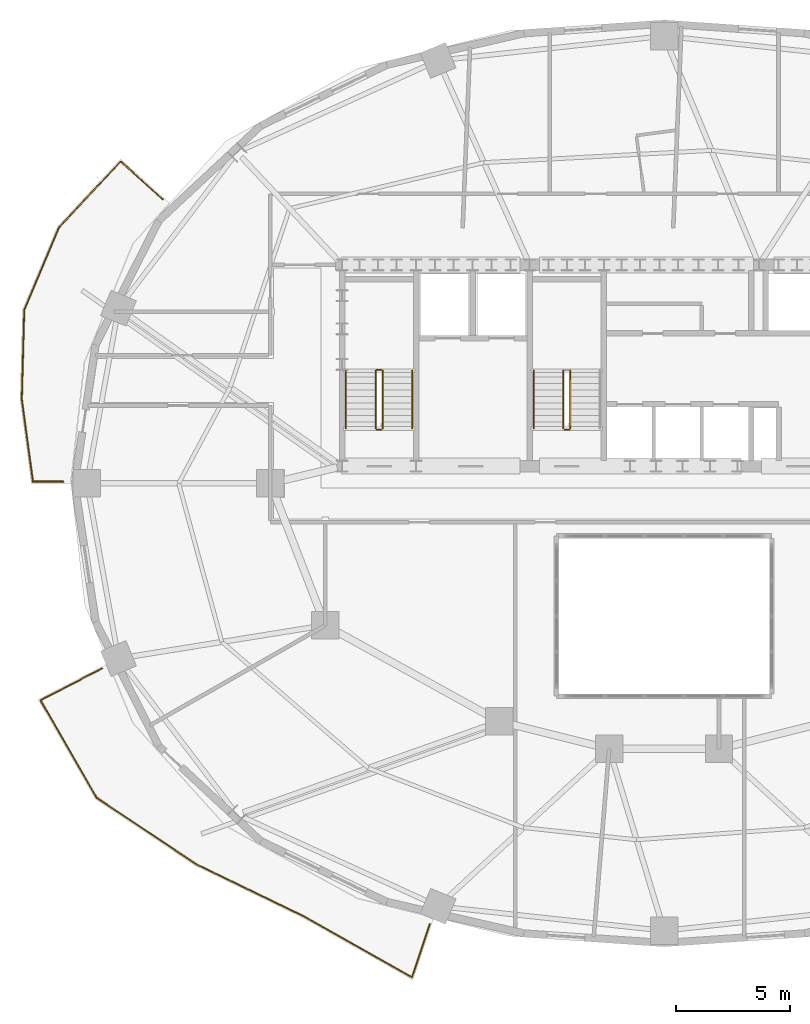
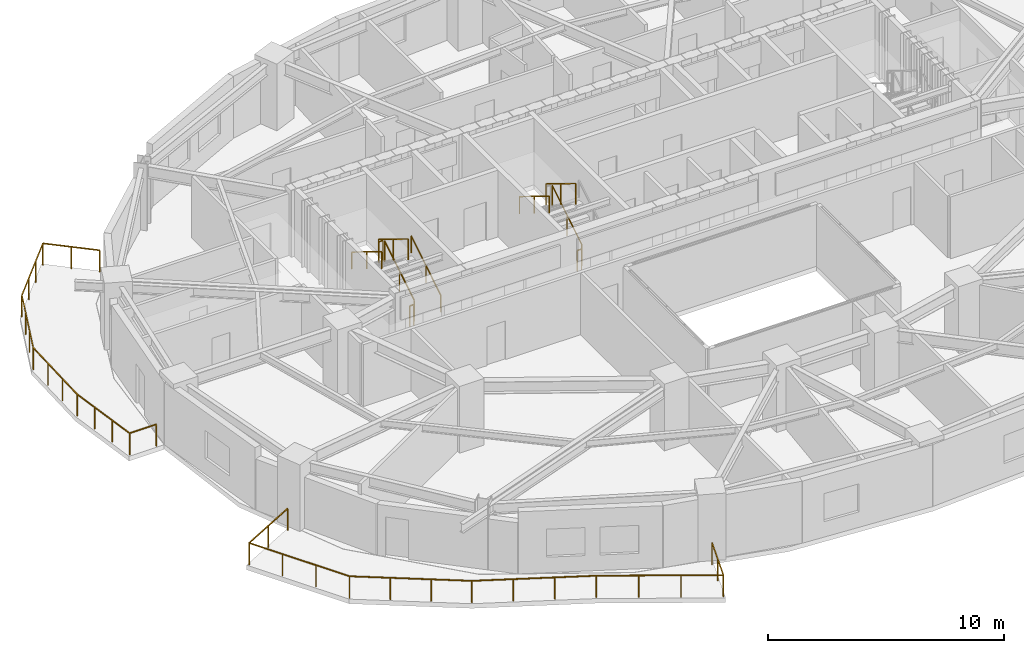
# One storey, part 10 of 13: 12 railings.
"""IFC4 building model written with IfcOpenShell, lengths in metres."""

from ifc_helpers import new_model, si_unit, direction, frame, origin, origin_2d, place, context, subcontext, project, spatial, rectangle, extrude, material, type_object, element, save


model = new_model("IFC4")

# Units and contexts
model_context = context("Model", 3, precision=1e-05, world=origin(), true_north=direction((0.0, 1.0)))
body_context = subcontext(model_context, "Body", "Model", "MODEL_VIEW")
ifc_project = project(units=[si_unit("LENGTHUNIT", "METRE"), si_unit("AREAUNIT", "SQUARE_METRE"), si_unit("VOLUMEUNIT", "CUBIC_METRE"), si_unit("PLANEANGLEUNIT", "RADIAN"), si_unit("MASSUNIT", "GRAM", prefix="KILO")], contexts=[model_context])

# Site, building, storey
site_placement = place(None, origin())
site = spatial("IfcSite", under=ifc_project, at=site_placement, CompositionType="ELEMENT")
building_placement = place(site_placement, origin())
building = spatial("IfcBuilding", under=site, at=building_placement, Name="Haldorwick Loom Tower", CompositionType="ELEMENT")
storey_placement = place(building_placement, frame((0.0, 0.0, 135.64990234375)))
storey = spatial("IfcBuildingStorey", under=building, at=storey_placement, Name="L36", CompositionType="ELEMENT", Elevation=135.64990234375)

# Railings
ifc_material_1 = material(Name="Galvanized Steel CSA G40.21 350W", Category="steel")
railing_type_1 = type_object("IfcRailingType", Name="ARC-RLG-BAL115", PredefinedType="BALUSTRADE", material=ifc_material_1)
railing_1_placement = place(storey_placement, frame((25.755859375, 6.728515625, 0.0)))
element("IfcRailing", 1, at=railing_1_placement, inside=storey, type_object=railing_type_1, Name="L36 Outdoor Terrace Guardrail SLB-L36-BAL_SW-1", PredefinedType="BALUSTRADE", context=body_context, shape_type="SweptSolid", body=[
    extrude(rectangle(XDim=0.048095703125, YDim=0.048095703125, at=origin_2d()), frame((0.0, 0.0, 1.1259765625), z_axis=(-0.318122031644, -0.948049773473, 0.0), x_axis=(0.948049773473, -0.318122031644, 0.0)), (0.0, 0.0, 1.0), 2.43505859375),
    extrude(rectangle(XDim=0.048095703125, YDim=0.048095703125, at=origin_2d()), frame((-0.774658203125, -2.30859375, 1.1259765625), z_axis=(-0.870535813637, 0.492105067212, 0.0), x_axis=(-0.492105067212, -0.870535813637, 0.0)), (0.0, 0.0, 1.0), 5.38427734375),
    extrude(rectangle(XDim=0.048095703125, YDim=0.048095703125, at=origin_2d()), frame((-5.4619140625, 0.341064453125, 1.1259765625), z_axis=(-0.884918222382, 0.465746432833, 0.0), x_axis=(-0.465746432833, -0.884918222382, 0.0)), (0.0, 0.0, 1.0), 0.005126953125),
    extrude(rectangle(XDim=0.048095703125, YDim=0.048095703125, at=origin_2d()), frame((-5.466552734375, 0.343505859375, 1.1259765625), z_axis=(-0.899741530377, 0.436423164503, 0.0), x_axis=(-0.436423164503, -0.899741530377, 0.0)), (0.0, 0.0, 1.0), 5.283203125),
    extrude(rectangle(XDim=0.048095703125, YDim=0.048095703125, at=origin_2d()), frame((-10.219970703125, 2.649169921875, 1.1259765625), z_axis=(-0.831587514247, 0.555393739746, 0.0), x_axis=(-0.555393739746, -0.831587514247, 0.0)), (0.0, 0.0, 1.0), 5.197509765625),
    extrude(rectangle(XDim=0.048095703125, YDim=0.048095703125, at=origin_2d()), frame((-14.542236328125, 5.535888671875, 1.1259765625), z_axis=(-0.499653669952, 0.866225265219, 0.0), x_axis=(-0.866225265219, -0.499653669952, 0.0)), (0.0, 0.0, 1.0), 4.91650390625),
    extrude(rectangle(XDim=0.048095703125, YDim=0.048095703125, at=origin_2d()), frame((-16.998779296875, 9.794677734375, 1.1259765625), z_axis=(0.88849659396, 0.45888321229, 0.0), x_axis=(-0.45888321229, 0.88849659396, 0.0)), (0.0, 0.0, 1.0), 3.02783203125),
    extrude(rectangle(XDim=0.0419921875, YDim=0.0419921875, at=origin_2d()), origin(), (0.0, 0.0, 1.0), 1.101806640625),
    extrude(rectangle(XDim=0.0419921875, YDim=0.0419921875, at=origin_2d()), frame((-0.38720703125, -1.154296875, 0.0)), (0.0, 0.0, 1.0), 1.101806640625),
    extrude(rectangle(XDim=0.0419921875, YDim=0.0419921875, at=origin_2d()), frame((-0.774658203125, -2.30859375, 0.0)), (0.0, 0.0, 1.0), 1.101806640625),
    extrude(rectangle(XDim=0.0419921875, YDim=0.0419921875, at=origin_2d()), frame((-2.337158203125, -1.42529296875, 0.0)), (0.0, 0.0, 1.0), 1.101806640625),
    extrude(rectangle(XDim=0.0419921875, YDim=0.0419921875, at=origin_2d()), frame((-3.8994140625, -0.542236328125, 0.0)), (0.0, 0.0, 1.0), 1.101806640625),
    extrude(rectangle(XDim=0.0419921875, YDim=0.0419921875, at=origin_2d()), frame((-5.4619140625, 0.341064453125, 0.0)), (0.0, 0.0, 1.0), 1.101806640625),
    extrude(rectangle(XDim=0.0419921875, YDim=0.0419921875, at=origin_2d()), frame((-7.051025390625, 1.112060546875, 0.0)), (0.0, 0.0, 1.0), 1.101806640625),
    extrude(rectangle(XDim=0.0419921875, YDim=0.0419921875, at=origin_2d()), frame((-8.635498046875, 1.880615234375, 0.0)), (0.0, 0.0, 1.0), 1.101806640625),
    extrude(rectangle(XDim=0.0419921875, YDim=0.0419921875, at=origin_2d()), frame((-10.219970703125, 2.649169921875, 0.0)), (0.0, 0.0, 1.0), 1.101806640625),
    extrude(rectangle(XDim=0.0419921875, YDim=0.0419921875, at=origin_2d()), frame((-11.66064453125, 3.611328125, 0.0)), (0.0, 0.0, 1.0), 1.101806640625),
    extrude(rectangle(XDim=0.0419921875, YDim=0.0419921875, at=origin_2d()), frame((-13.1015625, 4.57373046875, 0.0)), (0.0, 0.0, 1.0), 1.101806640625),
    extrude(rectangle(XDim=0.0419921875, YDim=0.0419921875, at=origin_2d()), frame((-14.542236328125, 5.535888671875, 0.0)), (0.0, 0.0, 1.0), 1.101806640625),
    extrude(rectangle(XDim=0.0419921875, YDim=0.0419921875, at=origin_2d()), frame((-15.361083984375, 6.95556640625, 0.0)), (0.0, 0.0, 1.0), 1.101806640625),
    extrude(rectangle(XDim=0.0419921875, YDim=0.0419921875, at=origin_2d()), frame((-16.179931640625, 8.375, 0.0)), (0.0, 0.0, 1.0), 1.101806640625),
    extrude(rectangle(XDim=0.0419921875, YDim=0.0419921875, at=origin_2d()), frame((-16.998779296875, 9.794677734375, 0.0)), (0.0, 0.0, 1.0), 1.101806640625),
    extrude(rectangle(XDim=0.0419921875, YDim=0.0419921875, at=origin_2d()), frame((-15.65380859375, 10.4892578125, 0.0)), (0.0, 0.0, 1.0), 1.101806640625),
    extrude(rectangle(XDim=0.0419921875, YDim=0.0419921875, at=origin_2d()), frame((-14.30859375, 11.18408203125, 0.0)), (0.0, 0.0, 1.0), 1.101806640625),
])
railing_2_placement = place(storey_placement, frame((9.73974609375, 26.080078125, 0.0)))
element("IfcRailing", 2, at=railing_2_placement, inside=storey, type_object=railing_type_1, Name="L36 Outdoor Terrace Guardrail SLB-L36-BAL_WNW-1", PredefinedType="BALUSTRADE", context=body_context, shape_type="SweptSolid", body=[
    extrude(rectangle(XDim=0.048095703125, YDim=0.048095703125, at=origin_2d()), frame((0.0, 0.0, 1.1259765625), z_axis=(-1.0, 0.0, 0.0), x_axis=(0.0, -1.0, 0.0)), (0.0, 0.0, 1.0), 1.313232421875),
    extrude(rectangle(XDim=0.048095703125, YDim=0.048095703125, at=origin_2d()), frame((-1.313232421875, 0.0, 1.1259765625), z_axis=(-0.133951807797, 0.990987847144, 0.0), x_axis=(-0.990987847144, -0.133951807797, 0.0)), (0.0, 0.0, 1.0), 3.630615234375),
    extrude(rectangle(XDim=0.048095703125, YDim=0.048095703125, at=origin_2d()), frame((-1.799560546875, 3.597900390625, 1.1259765625), z_axis=(0.0273664576, 0.999625468362, 0.0), x_axis=(-0.999625468362, 0.0273664576, 0.0)), (0.0, 0.0, 1.0), 3.907470703125),
    extrude(rectangle(XDim=0.048095703125, YDim=0.048095703125, at=origin_2d()), frame((-1.692626953125, 7.50390625, 1.1259765625), z_axis=(0.389591209707, 0.920987887716, 0.0), x_axis=(-0.920987887716, 0.389591209707, 0.0)), (0.0, 0.0, 1.0), 3.91845703125),
    extrude(rectangle(XDim=0.048095703125, YDim=0.048095703125, at=origin_2d()), frame((-0.166015625, 11.11279296875, 1.1259765625), z_axis=(0.683138961253, 0.73028840852, 0.0), x_axis=(-0.73028840852, 0.683138961253, 0.0)), (0.0, 0.0, 1.0), 3.93017578125),
    extrude(rectangle(XDim=0.048095703125, YDim=0.048095703125, at=origin_2d()), frame((2.518798828125, 13.98291015625, 1.1259765625), z_axis=(0.74343228508, -0.668811212152, 0.0), x_axis=(0.668811212152, 0.74343228508, 0.0)), (0.0, 0.0, 1.0), 2.46044921875),
    extrude(rectangle(XDim=0.0419921875, YDim=0.0419921875, at=origin_2d()), origin(), (0.0, 0.0, 1.0), 1.101806640625),
    extrude(rectangle(XDim=0.0419921875, YDim=0.0419921875, at=origin_2d()), frame((-1.313232421875, 0.0, 0.0)), (0.0, 0.0, 1.0), 1.101806640625),
    extrude(rectangle(XDim=0.0419921875, YDim=0.0419921875, at=origin_2d()), frame((-1.475341796875, 1.19921875, 0.0)), (0.0, 0.0, 1.0), 1.101806640625),
    extrude(rectangle(XDim=0.0419921875, YDim=0.0419921875, at=origin_2d()), frame((-1.637451171875, 2.398681640625, 0.0)), (0.0, 0.0, 1.0), 1.101806640625),
    extrude(rectangle(XDim=0.0419921875, YDim=0.0419921875, at=origin_2d()), frame((-1.799560546875, 3.597900390625, 0.0)), (0.0, 0.0, 1.0), 1.101806640625),
    extrude(rectangle(XDim=0.0419921875, YDim=0.0419921875, at=origin_2d()), frame((-1.763916015625, 4.89990234375, 0.0)), (0.0, 0.0, 1.0), 1.101806640625),
    extrude(rectangle(XDim=0.0419921875, YDim=0.0419921875, at=origin_2d()), frame((-1.728271484375, 6.201904296875, 0.0)), (0.0, 0.0, 1.0), 1.101806640625),
    extrude(rectangle(XDim=0.0419921875, YDim=0.0419921875, at=origin_2d()), frame((-1.692626953125, 7.50390625, 0.0)), (0.0, 0.0, 1.0), 1.101806640625),
    extrude(rectangle(XDim=0.0419921875, YDim=0.0419921875, at=origin_2d()), frame((-1.183837890625, 8.706787109375, 0.0)), (0.0, 0.0, 1.0), 1.101806640625),
    extrude(rectangle(XDim=0.0419921875, YDim=0.0419921875, at=origin_2d()), frame((-0.6748046875, 9.909912109375, 0.0)), (0.0, 0.0, 1.0), 1.101806640625),
    extrude(rectangle(XDim=0.0419921875, YDim=0.0419921875, at=origin_2d()), frame((-0.166015625, 11.11279296875, 0.0)), (0.0, 0.0, 1.0), 1.101806640625),
    extrude(rectangle(XDim=0.0419921875, YDim=0.0419921875, at=origin_2d()), frame((0.72900390625, 12.069580078125, 0.0)), (0.0, 0.0, 1.0), 1.101806640625),
    extrude(rectangle(XDim=0.0419921875, YDim=0.0419921875, at=origin_2d()), frame((1.623779296875, 13.026123046875, 0.0)), (0.0, 0.0, 1.0), 1.101806640625),
    extrude(rectangle(XDim=0.0419921875, YDim=0.0419921875, at=origin_2d()), frame((2.518798828125, 13.98291015625, 0.0)), (0.0, 0.0, 1.0), 1.101806640625),
    extrude(rectangle(XDim=0.0419921875, YDim=0.0419921875, at=origin_2d()), frame((3.433349609375, 13.16015625, 0.0)), (0.0, 0.0, 1.0), 1.101806640625),
    extrude(rectangle(XDim=0.0419921875, YDim=0.0419921875, at=origin_2d()), frame((4.347900390625, 12.33740234375, 0.0)), (0.0, 0.0, 1.0), 1.101806640625),
])
ifc_material_2 = material(Name="Steel CSA G40.21 350W", Category="steel")
railing_type_2 = type_object("IfcRailingType", Name="ARC-RLG-GUARD112", PredefinedType="GUARDRAIL", material=ifc_material_2)
railing_3_placement = place(storey_placement, frame((23.699951171875, 28.39990234375, 0.172607421875)))
element("IfcRailing", 3, at=railing_3_placement, inside=storey, type_object=railing_type_2, Name="L36 ST-01 stair guard 1", PredefinedType="GUARDRAIL", context=body_context, shape_type="SweptSolid", body=[
    extrude(rectangle(XDim=0.048095703125, YDim=0.048095703125, at=origin_2d()), frame((0.0, 0.0, 1.076171875), z_axis=(0.0, 0.851400495292, 0.524516154772), x_axis=(-1.0, 0.0, 0.0)), (0.0, 0.0, 1.0), 2.9599609375),
    extrude(rectangle(XDim=0.0419921875, YDim=0.0419921875, at=origin_2d()), origin(), (0.0, 0.0, 1.0), 1.052001953125),
    extrude(rectangle(XDim=0.0419921875, YDim=0.0419921875, at=origin_2d()), frame((0.0, 1.260009765625, 0.7763671875)), (0.0, 0.0, 1.0), 1.052001953125),
    extrude(rectangle(XDim=0.0419921875, YDim=0.0419921875, at=origin_2d()), frame((0.0, 2.52001953125, 1.552490234375)), (0.0, 0.0, 1.0), 1.052001953125),
])
railing_4_placement = place(storey_placement, frame((23.64990234375, 30.969970703125, 1.72509765625)))
element("IfcRailing", 4, at=railing_4_placement, inside=storey, type_object=railing_type_2, Name="L36 ST-01 stair guard 2", PredefinedType="GUARDRAIL", context=body_context, shape_type="SweptSolid", body=[
    extrude(rectangle(XDim=0.048095703125, YDim=0.048095703125, at=origin_2d()), frame((0.0, 0.0, 1.076171875), z_axis=(-1.0, 0.0, 0.0), x_axis=(0.0, -1.0, 0.0)), (0.0, 0.0, 1.0), 0.199951171875),
    extrude(rectangle(XDim=0.0419921875, YDim=0.0419921875, at=origin_2d()), origin(), (0.0, 0.0, 1.0), 1.052001953125),
    extrude(rectangle(XDim=0.0419921875, YDim=0.0419921875, at=origin_2d()), frame((-0.199951171875, 0.0, 0.0)), (0.0, 0.0, 1.0), 1.052001953125),
])
railing_5_placement = place(storey_placement, frame((23.39990234375, 30.919921875, 1.897705078125)))
element("IfcRailing", 5, at=railing_5_placement, inside=storey, type_object=railing_type_2, Name="L36 ST-01 stair guard 3", PredefinedType="GUARDRAIL", context=body_context, shape_type="SweptSolid", body=[
    extrude(rectangle(XDim=0.048095703125, YDim=0.048095703125, at=origin_2d()), frame((0.0, 0.0, 1.076171875), z_axis=(0.0, -0.851400495292, 0.524516154772), x_axis=(1.0, 0.0, 0.0)), (0.0, 0.0, 1.0), 2.9599609375),
    extrude(rectangle(XDim=0.0419921875, YDim=0.0419921875, at=origin_2d()), origin(), (0.0, 0.0, 1.0), 1.052001953125),
    extrude(rectangle(XDim=0.0419921875, YDim=0.0419921875, at=origin_2d()), frame((0.0, -1.260009765625, 0.7763671875)), (0.0, 0.0, 1.0), 1.052001953125),
    extrude(rectangle(XDim=0.0419921875, YDim=0.0419921875, at=origin_2d()), frame((0.0, -2.52001953125, 1.552490234375)), (0.0, 0.0, 1.0), 1.052001953125),
])
railing_6_placement = place(storey_placement, frame((23.64990234375, 28.35009765625, 0.0)))
element("IfcRailing", 6, at=railing_6_placement, inside=storey, type_object=railing_type_2, Name="L36 ST-01 stair guard 4", PredefinedType="GUARDRAIL", context=body_context, shape_type="SweptSolid", body=[
    extrude(rectangle(XDim=0.048095703125, YDim=0.048095703125, at=origin_2d()), frame((0.0, 0.0, 1.076171875), z_axis=(-1.0, 0.0, 0.0), x_axis=(0.0, -1.0, 0.0)), (0.0, 0.0, 1.0), 0.199951171875),
    extrude(rectangle(XDim=0.0419921875, YDim=0.0419921875, at=origin_2d()), origin(), (0.0, 0.0, 1.0), 1.052001953125),
    extrude(rectangle(XDim=0.0419921875, YDim=0.0419921875, at=origin_2d()), frame((-0.199951171875, 0.0, 0.0)), (0.0, 0.0, 1.0), 1.052001953125),
])
railing_7_placement = place(storey_placement, frame((31.89990234375, 28.39990234375, 0.172607421875)))
element("IfcRailing", 7, at=railing_7_placement, inside=storey, type_object=railing_type_2, Name="L36 ST-03 stair guard 1", PredefinedType="GUARDRAIL", context=body_context, shape_type="SweptSolid", body=[
    extrude(rectangle(XDim=0.048095703125, YDim=0.048095703125, at=origin_2d()), frame((0.0, 0.0, 1.076171875), z_axis=(0.0, 0.851400495292, 0.524516154772), x_axis=(-1.0, 0.0, 0.0)), (0.0, 0.0, 1.0), 2.9599609375),
    extrude(rectangle(XDim=0.0419921875, YDim=0.0419921875, at=origin_2d()), origin(), (0.0, 0.0, 1.0), 1.052001953125),
    extrude(rectangle(XDim=0.0419921875, YDim=0.0419921875, at=origin_2d()), frame((0.0, 1.260009765625, 0.7763671875)), (0.0, 0.0, 1.0), 1.052001953125),
    extrude(rectangle(XDim=0.0419921875, YDim=0.0419921875, at=origin_2d()), frame((0.0, 2.52001953125, 1.552490234375)), (0.0, 0.0, 1.0), 1.052001953125),
])
railing_8_placement = place(storey_placement, frame((31.60009765625, 30.919921875, 1.897705078125)))
element("IfcRailing", 8, at=railing_8_placement, inside=storey, type_object=railing_type_2, Name="L36 ST-03 stair guard 3", PredefinedType="GUARDRAIL", context=body_context, shape_type="SweptSolid", body=[
    extrude(rectangle(XDim=0.048095703125, YDim=0.048095703125, at=origin_2d()), frame((0.0, 0.0, 1.076171875), z_axis=(0.0, -0.851400495292, 0.524516154772), x_axis=(1.0, 0.0, 0.0)), (0.0, 0.0, 1.0), 2.9599609375),
    extrude(rectangle(XDim=0.0419921875, YDim=0.0419921875, at=origin_2d()), origin(), (0.0, 0.0, 1.0), 1.052001953125),
    extrude(rectangle(XDim=0.0419921875, YDim=0.0419921875, at=origin_2d()), frame((0.0, -1.260009765625, 0.7763671875)), (0.0, 0.0, 1.0), 1.052001953125),
    extrude(rectangle(XDim=0.0419921875, YDim=0.0419921875, at=origin_2d()), frame((0.0, -2.52001953125, 1.552490234375)), (0.0, 0.0, 1.0), 1.052001953125),
])
railing_9_placement = place(storey_placement, frame((31.85009765625, 28.35009765625, 0.0)))
element("IfcRailing", 9, at=railing_9_placement, inside=storey, type_object=railing_type_2, Name="L36 ST-03 stair guard 4", PredefinedType="GUARDRAIL", context=body_context, shape_type="SweptSolid", body=[
    extrude(rectangle(XDim=0.048095703125, YDim=0.048095703125, at=origin_2d()), frame((0.0, 0.0, 1.076171875), z_axis=(-1.0, 0.0, 0.0), x_axis=(0.0, -1.0, 0.0)), (0.0, 0.0, 1.0), 0.2001953125),
    extrude(rectangle(XDim=0.0419921875, YDim=0.0419921875, at=origin_2d()), origin(), (0.0, 0.0, 1.0), 1.052001953125),
    extrude(rectangle(XDim=0.0419921875, YDim=0.0419921875, at=origin_2d()), frame((-0.2001953125, 0.0, 0.0)), (0.0, 0.0, 1.0), 1.052001953125),
])
railing_type_3 = type_object("IfcRailingType", Name="ARC-RLG-HAND092", PredefinedType="HANDRAIL", material=ifc_material_2)
railing_10_placement = place(storey_placement, frame((25.0, 28.39990234375, 0.172607421875)))
element("IfcRailing", 10, at=railing_10_placement, inside=storey, type_object=railing_type_3, Name="L36 ST-01 stair handrail 1", PredefinedType="HANDRAIL", context=body_context, shape_type="SweptSolid", body=[
    extrude(rectangle(XDim=0.048095703125, YDim=0.048095703125, at=origin_2d()), frame((0.0, 0.0, 0.8759765625), z_axis=(0.0, 0.851400495292, 0.524516154772), x_axis=(-1.0, 0.0, 0.0)), (0.0, 0.0, 1.0), 2.9599609375),
    extrude(rectangle(XDim=0.0419921875, YDim=0.0419921875, at=origin_2d()), origin(), (0.0, 0.0, 1.0), 0.851806640625),
    extrude(rectangle(XDim=0.0419921875, YDim=0.0419921875, at=origin_2d()), frame((0.0, 1.260009765625, 0.7763671875)), (0.0, 0.0, 1.0), 0.851806640625),
    extrude(rectangle(XDim=0.0419921875, YDim=0.0419921875, at=origin_2d()), frame((0.0, 2.52001953125, 1.552490234375)), (0.0, 0.0, 1.0), 0.851806640625),
])
for number, where, name in (
    (11, (22.10009765625, 30.919921875, 1.897705078125), "L36 ST-01 stair handrail 2"),
    (12, (30.300048828125, 30.919921875, 1.897705078125), "L36 ST-03 stair handrail 2"),
):
    element("IfcRailing", number, at=place(storey_placement, frame(where)), inside=storey, type_object=railing_type_3, Name=name, PredefinedType="HANDRAIL", context=body_context, shape_type="SweptSolid", body=[
        extrude(rectangle(XDim=0.048095703125, YDim=0.048095703125, at=origin_2d()), frame((0.0, 0.0, 0.8759765625), z_axis=(0.0, -0.851400495292, 0.524516154772), x_axis=(1.0, 0.0, 0.0)), (0.0, 0.0, 1.0), 2.9599609375),
        extrude(rectangle(XDim=0.0419921875, YDim=0.0419921875, at=origin_2d()), origin(), (0.0, 0.0, 1.0), 0.851806640625),
        extrude(rectangle(XDim=0.0419921875, YDim=0.0419921875, at=origin_2d()), frame((0.0, -1.260009765625, 0.7763671875)), (0.0, 0.0, 1.0), 0.851806640625),
        extrude(rectangle(XDim=0.0419921875, YDim=0.0419921875, at=origin_2d()), frame((0.0, -2.52001953125, 1.552490234375)), (0.0, 0.0, 1.0), 0.851806640625),
    ])

save(model, "model.ifc")
